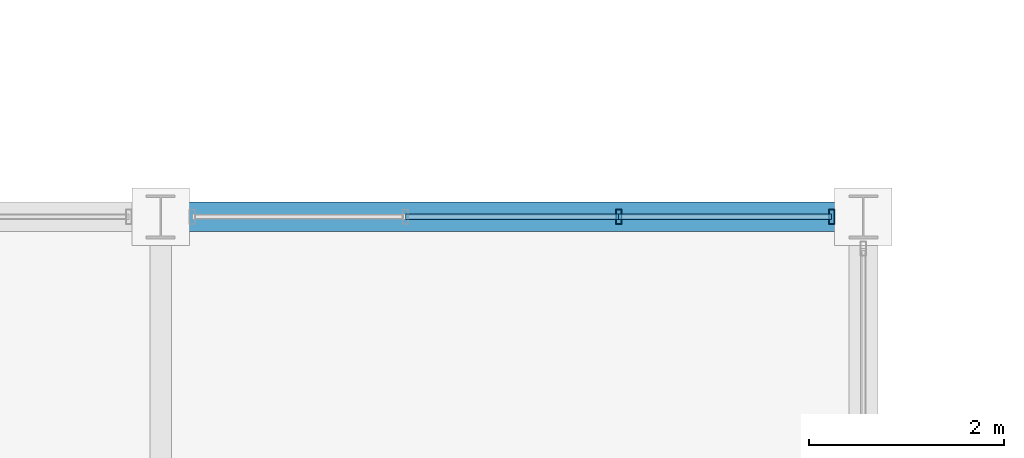
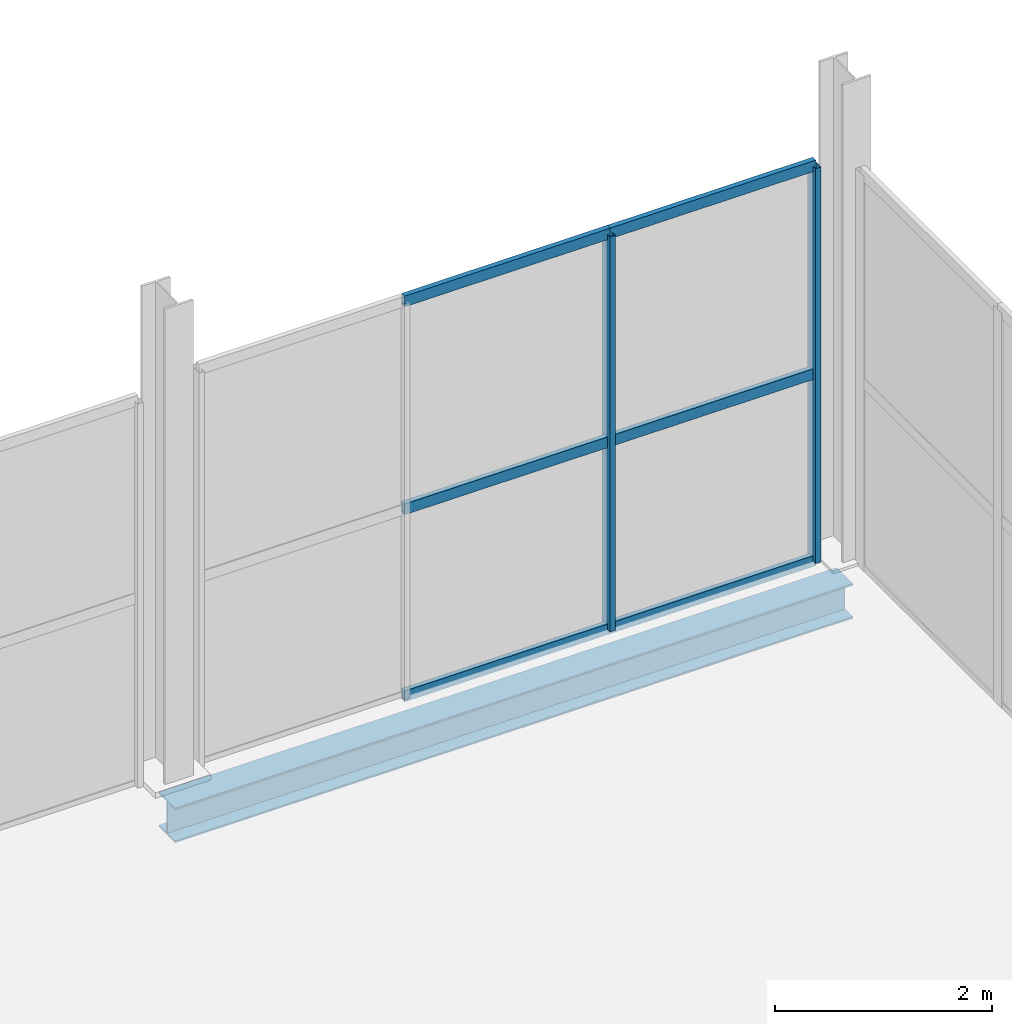
# One storey, part 90 of 147: 8 members, 1 beam, 1 element without a shape of its own.
"""IFC4 building model written with IfcOpenShell, lengths in metres."""

from ifc_helpers import new_model, si_unit, direction, frame, origin, origin_2d, place, context, subcontext, project, spatial, hollow_rectangle, i_section, extrude, material, layer, layer_set, material_profile, profile_set, type_object, element, aggregate, save


model = new_model("IFC4")

# Units and contexts
model_context = context("Model", 3, precision=1e-05, world=origin(), true_north=direction((0.0, 1.0)))
body_context = subcontext(model_context, "Body", "Model", "MODEL_VIEW")
ifc_project = project(units=[si_unit("LENGTHUNIT", "METRE"), si_unit("AREAUNIT", "SQUARE_METRE"), si_unit("VOLUMEUNIT", "CUBIC_METRE"), si_unit("PLANEANGLEUNIT", "RADIAN"), si_unit("MASSUNIT", "GRAM", prefix="KILO")], contexts=[model_context])

# Site, building, storey
site_placement = place(None, origin())
site = spatial("IfcSite", under=ifc_project, at=site_placement, CompositionType="ELEMENT")
building_placement = place(site_placement, origin())
building = spatial("IfcBuilding", under=site, at=building_placement, Name="Sundgate Opera House", CompositionType="ELEMENT")
storey_placement = place(building_placement, frame((0.0, 0.0, 6.0)))
storey = spatial("IfcBuildingStorey", under=building, at=storey_placement, Name="L01", CompositionType="ELEMENT", Elevation=6.0)

# Beam
ifc_material_1 = material(Name="Steel S355J2", Category="steel")
ifc_material_profile_1 = material_profile(ifc_material_1, i_section(OverallWidth=0.300048828125, OverallDepth=0.389892578125, WebThickness=0.010986328125, FlangeThickness=0.01904296875, at=origin_2d()), Name="HEA 400")
ifc_profile_set_1 = profile_set([ifc_material_profile_1], Name="Steel S355J2")
beam_type = type_object("IfcBeamType", Name="BM-GR-HEA400", PredefinedType="BEAM", material=ifc_profile_set_1)
beam_placement = place(storey_placement, frame((153.0, 33.0, -0.4951171875), z_axis=(1.0, 0.0, 0.0), x_axis=(0.0, 1.0, 0.0)))
element("IfcBeam", 1, at=beam_placement, inside=storey, type_object=beam_type, Name="L01 Primary E-W Girder B1325", PredefinedType="BEAM", context=body_context, shape_type="SweptSolid", body=[
    extrude(i_section(OverallWidth=0.300048828125, OverallDepth=0.389892578125, WebThickness=0.010986328125, FlangeThickness=0.01904296875, at=origin_2d()), origin(), (0.0, 0.0, 1.0), 7.199951171875),
])

# Curtain wall, members
ifc_material_2 = material(Name="Anodized aluminium and low-iron glass", Category="aluminium")
ifc_layer = layer(ifc_material_2, 0.14990234375)
ifc_layer_set = layer_set([ifc_layer], Name="Anodized aluminium and low-iron glass")
curtain_wall_type = type_object("IfcCurtainWallType", Name="CW-WORKSHOP-DARK", PredefinedType="NOTDEFINED", material=ifc_layer_set)
curtain_wall_placement = place(storey_placement, origin())
curtain_wall = element("IfcCurtainWall", 2, at=curtain_wall_placement, inside=storey, type_object=curtain_wall_type, Name="L01 Curtain Wall CW153", PredefinedType="NOTDEFINED")
ifc_material_3 = material(Name="Anodized aluminium EN AW-6063", Category="aluminium")
ifc_material_profile_2 = material_profile(ifc_material_3, hollow_rectangle(XDim=0.06005859375, YDim=0.14990234375, WallThickness=0.00390625, at=origin_2d()), Name="CWM 150x60x4")
ifc_profile_set_2 = profile_set([ifc_material_profile_2], Name="Anodized aluminium EN AW-6063")
member_type_1 = type_object("IfcMemberType", Name="CWM-ALU-150x60", PredefinedType="MULLION", material=ifc_profile_set_2)
member_1_placement = place(storey_placement, frame((157.691650390625, 33.0, 0.0), z_axis=(0.0, 0.0, 1.0), x_axis=(1.0, 0.0, 0.0)))
member_1 = element("IfcMember", 3, at=member_1_placement, type_object=member_type_1, Name="CW153 Mullion 3", PredefinedType="MULLION", context=body_context, shape_type="SweptSolid", body=[
    extrude(hollow_rectangle(XDim=0.06005859375, YDim=0.14990234375, WallThickness=0.00390625, at=origin_2d()), origin(), (0.0, 0.0, 1.0), 4.43505859375),
])
member_2_placement = place(storey_placement, frame((159.875, 33.0, 0.0), z_axis=(0.0, 0.0, 1.0), x_axis=(1.0, 0.0, 0.0)))
member_2 = element("IfcMember", 4, at=member_2_placement, type_object=member_type_1, Name="CW153 Mullion 4", PredefinedType="MULLION", context=body_context, shape_type="SweptSolid", body=[
    extrude(hollow_rectangle(XDim=0.06005859375, YDim=0.14990234375, WallThickness=0.00390625, at=origin_2d()), origin(), (0.0, 0.0, 1.0), 4.43505859375),
])
ifc_material_4 = material(Name="Anodized aluminium EN AW-6063", Category="aluminium")
ifc_material_profile_3 = material_profile(ifc_material_4, hollow_rectangle(XDim=0.054931640625, YDim=0.1201171875, WallThickness=0.00390625, at=origin_2d()), Name="CWT 120x55x4")
ifc_profile_set_3 = profile_set([ifc_material_profile_3], Name="Anodized aluminium EN AW-6063")
member_type_2 = type_object("IfcMemberType", Name="CWT-ALU-120x55", PredefinedType="USERDEFINED", material=ifc_profile_set_3)
member_3_placement = place(storey_placement, frame((155.50830078125, 33.0, 0.0), z_axis=(1.0, 0.0, 0.0), x_axis=(0.0, 1.0, 0.0)))
member_3 = element("IfcMember", 5, at=member_3_placement, type_object=member_type_2, Name="CW153 Transom 4", ObjectType="TRANSOM", PredefinedType="USERDEFINED", context=body_context, shape_type="SweptSolid", body=[
    extrude(hollow_rectangle(XDim=0.054931640625, YDim=0.1201171875, WallThickness=0.00390625, at=origin_2d()), origin(), (0.0, 0.0, 1.0), 2.183349609375),
])
member_4_placement = place(storey_placement, frame((155.50830078125, 33.0, 2.10009765625), z_axis=(1.0, 0.0, 0.0), x_axis=(0.0, 1.0, 0.0)))
member_4 = element("IfcMember", 6, at=member_4_placement, type_object=member_type_2, Name="CW153 Transom 5", ObjectType="TRANSOM", PredefinedType="USERDEFINED", context=body_context, shape_type="SweptSolid", body=[
    extrude(hollow_rectangle(XDim=0.054931640625, YDim=0.1201171875, WallThickness=0.00390625, at=origin_2d()), origin(), (0.0, 0.0, 1.0), 2.183349609375),
])
member_5_placement = place(storey_placement, frame((155.50830078125, 33.0, 4.43505859375), z_axis=(1.0, 0.0, 0.0), x_axis=(0.0, 1.0, 0.0)))
member_5 = element("IfcMember", 7, at=member_5_placement, type_object=member_type_2, Name="CW153 Transom 6", ObjectType="TRANSOM", PredefinedType="USERDEFINED", context=body_context, shape_type="SweptSolid", body=[
    extrude(hollow_rectangle(XDim=0.054931640625, YDim=0.1201171875, WallThickness=0.00390625, at=origin_2d()), origin(), (0.0, 0.0, 1.0), 2.183349609375),
])
member_6_placement = place(storey_placement, frame((157.691650390625, 33.0, 0.0), z_axis=(1.0, 0.0, 0.0), x_axis=(0.0, 1.0, 0.0)))
member_6 = element("IfcMember", 8, at=member_6_placement, type_object=member_type_2, Name="CW153 Transom 7", ObjectType="TRANSOM", PredefinedType="USERDEFINED", context=body_context, shape_type="SweptSolid", body=[
    extrude(hollow_rectangle(XDim=0.054931640625, YDim=0.1201171875, WallThickness=0.00390625, at=origin_2d()), origin(), (0.0, 0.0, 1.0), 2.183349609375),
])
member_7_placement = place(storey_placement, frame((157.691650390625, 33.0, 2.10009765625), z_axis=(1.0, 0.0, 0.0), x_axis=(0.0, 1.0, 0.0)))
member_7 = element("IfcMember", 9, at=member_7_placement, type_object=member_type_2, Name="CW153 Transom 8", ObjectType="TRANSOM", PredefinedType="USERDEFINED", context=body_context, shape_type="SweptSolid", body=[
    extrude(hollow_rectangle(XDim=0.054931640625, YDim=0.1201171875, WallThickness=0.00390625, at=origin_2d()), origin(), (0.0, 0.0, 1.0), 2.183349609375),
])
member_8_placement = place(storey_placement, frame((157.691650390625, 33.0, 4.43505859375), z_axis=(1.0, 0.0, 0.0), x_axis=(0.0, 1.0, 0.0)))
member_8 = element("IfcMember", 10, at=member_8_placement, type_object=member_type_2, Name="CW153 Transom 9", ObjectType="TRANSOM", PredefinedType="USERDEFINED", context=body_context, shape_type="SweptSolid", body=[
    extrude(hollow_rectangle(XDim=0.054931640625, YDim=0.1201171875, WallThickness=0.00390625, at=origin_2d()), origin(), (0.0, 0.0, 1.0), 2.183349609375),
])
aggregate(curtain_wall, [member_1, member_2, member_3, member_4, member_5, member_6, member_7, member_8])

save(model, "model.ifc")
